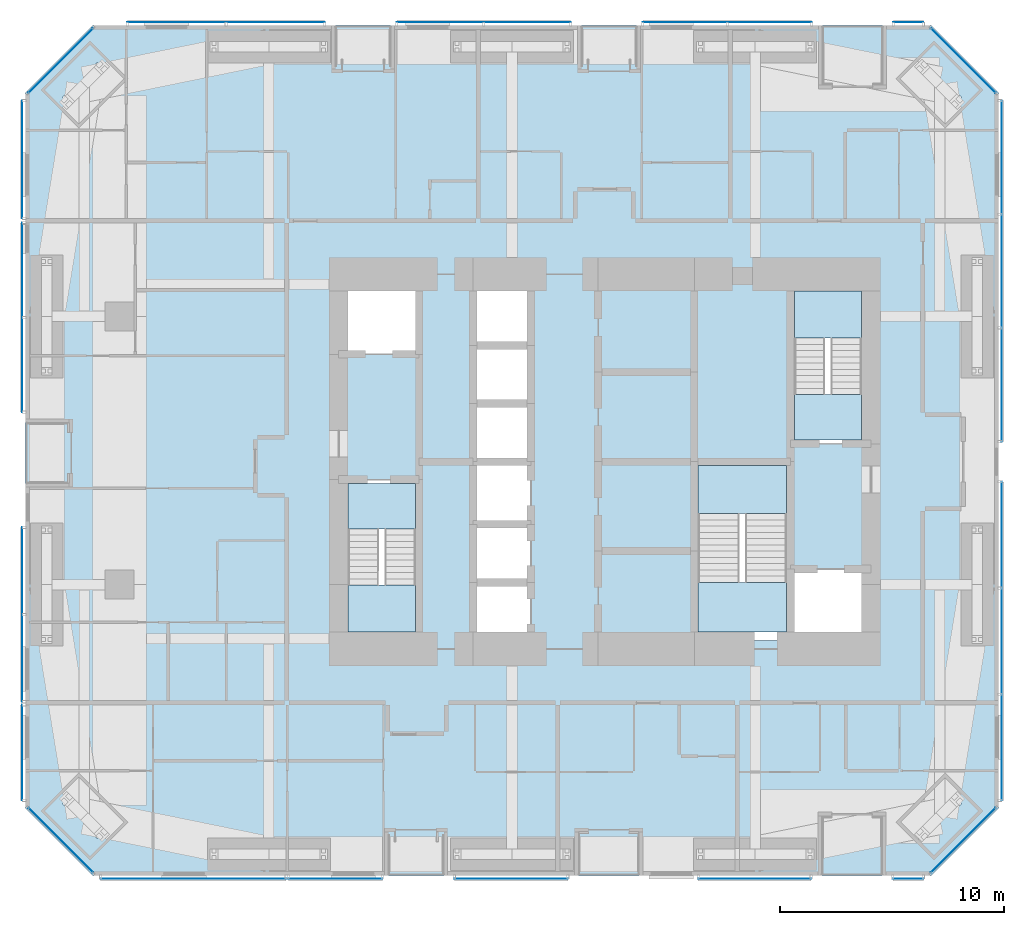
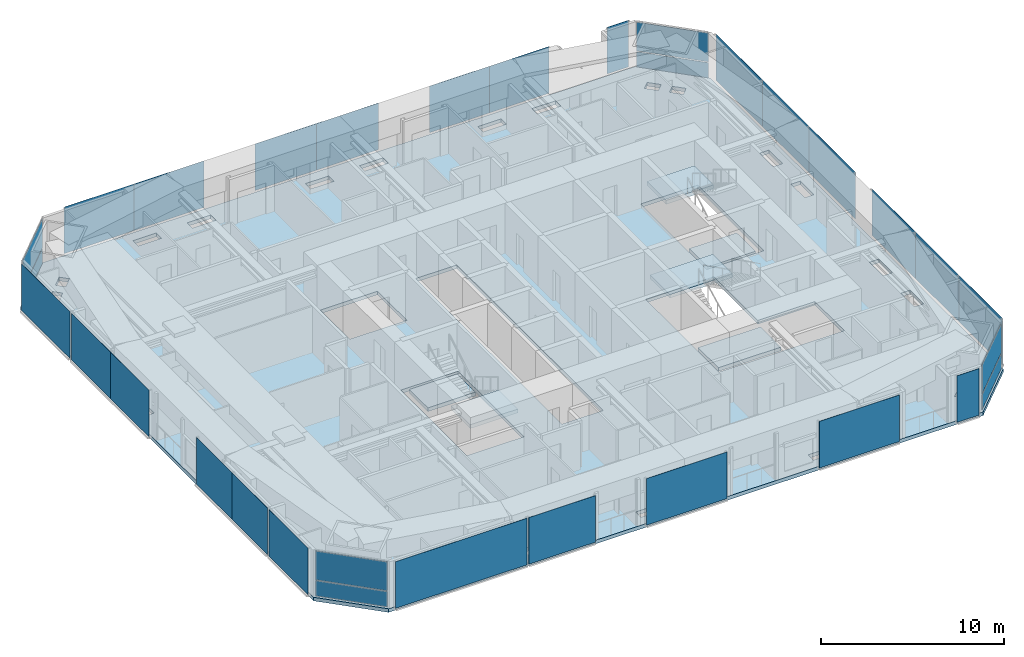
# One storey, part 15 of 23: 32 plates, 7 slabs, 22 elements without a shape of their own.
"""IFC4 building model written with IfcOpenShell, lengths in metres."""

from ifc_helpers import new_model, si_unit, direction, frame, origin, origin_2d, place, context, subcontext, project, spatial, polyline, rectangle, outline, extrude, material, layer, layer_set, type_object, element, aggregate, save


model = new_model("IFC4")

# Units and contexts
model_context = context("Model", 3, precision=1e-05, world=origin(), true_north=direction((0.0, 1.0)))
body_context = subcontext(model_context, "Body", "Model", "MODEL_VIEW")
ifc_project = project(units=[si_unit("LENGTHUNIT", "METRE"), si_unit("AREAUNIT", "SQUARE_METRE"), si_unit("VOLUMEUNIT", "CUBIC_METRE"), si_unit("PLANEANGLEUNIT", "RADIAN"), si_unit("MASSUNIT", "GRAM", prefix="KILO")], contexts=[model_context])

# Site, building, storey
site_placement = place(None, origin())
site = spatial("IfcSite", under=ifc_project, at=site_placement, CompositionType="ELEMENT")
building_placement = place(site_placement, origin())
building = spatial("IfcBuilding", under=site, at=building_placement, Name="Jalousie Tower", CompositionType="ELEMENT")
storey_placement = place(building_placement, frame((0.0, 0.0, 88.10009765625)))
storey = spatial("IfcBuildingStorey", under=building, at=storey_placement, Name="L23", CompositionType="ELEMENT", Elevation=88.10009765625)

# Curtain wall, plates
ifc_material_1 = material(Name="Aluminium curtain wall", Category="aluminium")
curtain_wall_type_1 = type_object("IfcCurtainWallType", Name="CORNER WINDOW WALL", PredefinedType="USERDEFINED", material=ifc_material_1)
curtain_wall_1_placement = place(storey_placement, origin())
curtain_wall_1 = element("IfcCurtainWall", 1, at=curtain_wall_1_placement, inside=storey, type_object=curtain_wall_type_1, Name="Corner Window Wall L23 2", ObjectType="CORNER WINDOW WALL", PredefinedType="USERDEFINED")
ifc_material_2 = material(Name="Laminated impact-rated spandrel glass", Category="glass")
ifc_layer_1 = layer(ifc_material_2, 0.028076171875)
ifc_layer_set_1 = layer_set([ifc_layer_1], Name="Laminated impact-rated spandrel glass")
plate_type_1 = type_object("IfcPlateType", Name="CORNER WINDOW WALL PANEL", PredefinedType="CURTAIN_PANEL", material=ifc_layer_set_1)
plate_1_placement = place(storey_placement, frame((47.9306640625, 1.5693359375, 0.06005859375), z_axis=(0.0, 0.0, 1.0), x_axis=(0.707106781187, 0.707106781187, 0.0)))
plate_1 = element("IfcPlate", 2, at=plate_1_placement, type_object=plate_type_1, Name="CW-C panel 1.1", PredefinedType="CURTAIN_PANEL", context=body_context, shape_type="SweptSolid", body=[
    extrude(rectangle(XDim=4.071533203125, YDim=0.028076171875, at=origin_2d()), origin(), (0.0, 0.0, 1.0), 1.010009765625),
])
plate_2_placement = place(storey_placement, frame((47.9306640625, 1.5693359375, 1.1298828125), z_axis=(0.0, 0.0, 1.0), x_axis=(0.707106781187, 0.707106781187, 0.0)))
plate_2 = element("IfcPlate", 3, at=plate_2_placement, type_object=plate_type_1, Name="CW-C panel 1.2", PredefinedType="CURTAIN_PANEL", context=body_context, shape_type="SweptSolid", body=[
    extrude(rectangle(XDim=4.071533203125, YDim=0.028076171875, at=origin_2d()), origin(), (0.0, 0.0, 1.0), 1.919921875),
])
aggregate(curtain_wall_1, [plate_1, plate_2])

curtain_wall_2_placement = place(storey_placement, origin())
curtain_wall_2 = element("IfcCurtainWall", 4, at=curtain_wall_2_placement, inside=storey, type_object=curtain_wall_type_1, Name="Corner Window Wall L23 4", ObjectType="CORNER WINDOW WALL", PredefinedType="USERDEFINED")
plate_3_placement = place(storey_placement, frame((47.9306640625, 36.4306640625, 0.06005859375), z_axis=(0.0, 0.0, 1.0), x_axis=(-0.707106781187, 0.707106781187, 0.0)))
plate_3 = element("IfcPlate", 5, at=plate_3_placement, type_object=plate_type_1, Name="CW-C panel 1.1", PredefinedType="CURTAIN_PANEL", context=body_context, shape_type="SweptSolid", body=[
    extrude(rectangle(XDim=4.071533203125, YDim=0.028076171875, at=origin_2d()), origin(), (0.0, 0.0, 1.0), 1.010009765625),
])
plate_4_placement = place(storey_placement, frame((47.9306640625, 36.4306640625, 1.1298828125), z_axis=(0.0, 0.0, 1.0), x_axis=(-0.707106781187, 0.707106781187, 0.0)))
plate_4 = element("IfcPlate", 6, at=plate_4_placement, type_object=plate_type_1, Name="CW-C panel 1.2", PredefinedType="CURTAIN_PANEL", context=body_context, shape_type="SweptSolid", body=[
    extrude(rectangle(XDim=4.071533203125, YDim=0.028076171875, at=origin_2d()), origin(), (0.0, 0.0, 1.0), 1.919921875),
])
aggregate(curtain_wall_2, [plate_3, plate_4])

curtain_wall_3_placement = place(storey_placement, origin())
curtain_wall_3 = element("IfcCurtainWall", 7, at=curtain_wall_3_placement, inside=storey, type_object=curtain_wall_type_1, Name="Corner Window Wall L23 6", ObjectType="CORNER WINDOW WALL", PredefinedType="USERDEFINED")
plate_5_placement = place(storey_placement, frame((7.5693359375, 36.4306640625, 0.06005859375), z_axis=(0.0, 0.0, 1.0), x_axis=(-0.707106781187, -0.707106781187, 0.0)))
plate_5 = element("IfcPlate", 8, at=plate_5_placement, type_object=plate_type_1, Name="CW-C panel 1.1", PredefinedType="CURTAIN_PANEL", context=body_context, shape_type="SweptSolid", body=[
    extrude(rectangle(XDim=4.071533203125, YDim=0.028076171875, at=origin_2d()), origin(), (0.0, 0.0, 1.0), 1.010009765625),
])
plate_6_placement = place(storey_placement, frame((7.5693359375, 36.4306640625, 1.1298828125), z_axis=(0.0, 0.0, 1.0), x_axis=(-0.707106781187, -0.707106781187, 0.0)))
plate_6 = element("IfcPlate", 9, at=plate_6_placement, type_object=plate_type_1, Name="CW-C panel 1.2", PredefinedType="CURTAIN_PANEL", context=body_context, shape_type="SweptSolid", body=[
    extrude(rectangle(XDim=4.071533203125, YDim=0.028076171875, at=origin_2d()), origin(), (0.0, 0.0, 1.0), 1.919921875),
])
aggregate(curtain_wall_3, [plate_5, plate_6])

curtain_wall_4_placement = place(storey_placement, origin())
curtain_wall_4 = element("IfcCurtainWall", 10, at=curtain_wall_4_placement, inside=storey, type_object=curtain_wall_type_1, Name="Corner Window Wall L23 8", ObjectType="CORNER WINDOW WALL", PredefinedType="USERDEFINED")
plate_7_placement = place(storey_placement, frame((7.5693359375, 1.5693359375, 0.06005859375), z_axis=(0.0, 0.0, 1.0), x_axis=(0.707106781187, -0.707106781187, 0.0)))
plate_7 = element("IfcPlate", 11, at=plate_7_placement, type_object=plate_type_1, Name="CW-C panel 1.1", PredefinedType="CURTAIN_PANEL", context=body_context, shape_type="SweptSolid", body=[
    extrude(rectangle(XDim=4.071533203125, YDim=0.028076171875, at=origin_2d()), origin(), (0.0, 0.0, 1.0), 1.010009765625),
])
plate_8_placement = place(storey_placement, frame((7.5693359375, 1.5693359375, 1.1298828125), z_axis=(0.0, 0.0, 1.0), x_axis=(0.707106781187, -0.707106781187, 0.0)))
plate_8 = element("IfcPlate", 12, at=plate_8_placement, type_object=plate_type_1, Name="CW-C panel 1.2", PredefinedType="CURTAIN_PANEL", context=body_context, shape_type="SweptSolid", body=[
    extrude(rectangle(XDim=4.071533203125, YDim=0.028076171875, at=origin_2d()), origin(), (0.0, 0.0, 1.0), 1.919921875),
])
aggregate(curtain_wall_4, [plate_7, plate_8])

# Slab
ifc_material_3 = material(Name="Concrete f'c 40 MPa", Category="concrete")
ifc_layer_2 = layer(ifc_material_3, 0.239990234375)
ifc_layer_set_2 = layer_set([ifc_layer_2], Name="Concrete f'c 40 MPa")
slab_type_1 = type_object("IfcSlabType", Name="FLOOR SLAB 240", PredefinedType="FLOOR", material=ifc_layer_set_2)
slab_1_placement = place(storey_placement, frame((0.0, 0.0, -0.239990234375)))
element("IfcSlab", 13, at=slab_1_placement, inside=storey, type_object=slab_type_1, Name="L23 floor slab", PredefinedType="FLOOR", context=body_context, shape_type="SweptSolid", body=[
    extrude(outline(polyline([(9.0, 0.0), (46.5, 0.0), (49.5, 3.0), (49.5, 35.0), (46.5, 38.0), (9.0, 38.0), (6.0, 35.0), (6.0, 3.0), (9.0, 0.0)]), holes=[polyline([(26.78173828125, 1.23876953125), (26.78173828125, 0.6611328125), (25.300048828125, 0.6611328125), (25.300048828125, 0.663818359375), (25.300048828125, 1.236083984375), (25.300048828125, 1.23876953125), (26.78173828125, 1.23876953125)]), polyline([(14.425048828125, 1.236083984375), (14.425048828125, 1.23876953125), (15.90673828125, 1.23876953125), (15.90673828125, 0.6611328125), (14.425048828125, 0.6611328125), (14.425048828125, 0.663818359375), (14.425048828125, 1.236083984375)]), polyline([(19.324951171875, 1.23876953125), (19.324951171875, 1.236083984375), (19.324951171875, 0.663818359375), (19.324951171875, 0.6611328125), (17.84326171875, 0.6611328125), (17.84326171875, 1.23876953125), (19.324951171875, 1.23876953125)]), polyline([(9.61328125, 2.0576171875), (9.4091796875, 1.853515625), (9.206787109375, 1.651123046875), (9.206787109375, 1.651123046875), (9.205078125, 1.6494140625), (8.649658203125, 2.204833984375), (9.05810546875, 2.613037109375), (9.61328125, 2.0576171875)]), polyline([(8.0576171875, 3.61328125), (8.613037109375, 3.05810546875), (8.204833984375, 2.649658203125), (7.6494140625, 3.205078125), (7.72119140625, 3.276611328125), (8.055908203125, 3.611572265625), (8.055908203125, 3.611572265625), (8.0576171875, 3.61328125)]), polyline([(7.236083984375, 10.550048828125), (6.663818359375, 10.550048828125), (6.6611328125, 10.550048828125), (6.6611328125, 12.03173828125), (7.23876953125, 12.03173828125), (7.23876953125, 10.550048828125), (7.236083984375, 10.550048828125)]), polyline([(20.0, 10.5), (23.60009765625, 10.5), (23.60009765625, 17.699951171875), (20.0, 17.699951171875), (20.0, 10.5)]), polyline([(7.23876953125, 15.449951171875), (7.23876953125, 13.96826171875), (6.6611328125, 13.96826171875), (6.6611328125, 15.449951171875), (6.663818359375, 15.449951171875), (7.236083984375, 15.449951171875), (7.23876953125, 15.449951171875)]), polyline([(26.0, 10.5), (26.0, 26.5), (28.60009765625, 26.5), (28.60009765625, 10.5), (26.0, 10.5)]), polyline([(7.23876953125, 24.03173828125), (7.23876953125, 22.550048828125), (7.236083984375, 22.550048828125), (6.663818359375, 22.550048828125), (6.6611328125, 22.550048828125), (6.6611328125, 24.03173828125), (7.23876953125, 24.03173828125)]), polyline([(20.0, 23.300048828125), (23.60009765625, 23.300048828125), (23.60009765625, 26.5), (20.0, 26.5), (20.0, 23.300048828125)]), polyline([(7.23876953125, 25.96826171875), (6.6611328125, 25.96826171875), (6.6611328125, 27.449951171875), (6.663818359375, 27.449951171875), (7.236083984375, 27.449951171875), (7.23876953125, 27.449951171875), (7.23876953125, 25.96826171875)]), polyline([(7.6494140625, 34.794921875), (8.204833984375, 35.350341796875), (8.613037109375, 34.94189453125), (8.0576171875, 34.38671875), (8.055908203125, 34.388427734375), (8.055908203125, 34.388427734375), (7.853515625, 34.5908203125), (7.6494140625, 34.794921875)]), polyline([(9.61328125, 35.9423828125), (9.05810546875, 35.386962890625), (8.649658203125, 35.795166015625), (9.205078125, 36.3505859375), (9.206787109375, 36.348876953125), (9.206787109375, 36.348876953125), (9.4091796875, 36.146484375), (9.61328125, 35.9423828125)]), polyline([(17.84326171875, 36.76123046875), (17.84326171875, 37.338623046875), (19.324951171875, 37.338623046875), (19.324951171875, 37.336181640625), (19.324951171875, 36.763916015625), (19.324951171875, 36.76123046875), (17.84326171875, 36.76123046875)]), polyline([(26.78173828125, 37.338623046875), (26.78173828125, 36.76123046875), (25.300048828125, 36.76123046875), (25.300048828125, 36.763916015625), (25.300048828125, 37.336181640625), (25.300048828125, 37.338623046875), (26.78173828125, 37.338623046875)]), polyline([(14.425048828125, 36.763916015625), (14.425048828125, 37.336181640625), (14.425048828125, 37.338623046875), (15.90673828125, 37.338623046875), (15.90673828125, 36.76123046875), (14.425048828125, 36.76123046875), (14.425048828125, 36.763916015625)]), polyline([(28.71826171875, 1.23876953125), (30.199951171875, 1.23876953125), (30.199951171875, 1.236083984375), (30.199951171875, 0.663818359375), (30.199951171875, 0.6611328125), (28.71826171875, 0.6611328125), (28.71826171875, 1.23876953125)]), polyline([(36.175048828125, 1.23876953125), (37.65673828125, 1.23876953125), (37.65673828125, 0.6611328125), (36.175048828125, 0.6611328125), (36.175048828125, 0.663818359375), (36.175048828125, 1.236083984375), (36.175048828125, 1.23876953125)]), polyline([(41.074951171875, 1.23876953125), (41.074951171875, 1.236083984375), (41.074951171875, 0.663818359375), (41.074951171875, 0.6611328125), (39.59326171875, 0.6611328125), (39.59326171875, 1.23876953125), (41.074951171875, 1.23876953125)]), polyline([(46.294921875, 1.6494140625), (46.0908203125, 1.853515625), (45.888427734375, 2.055908203125), (45.888427734375, 2.055908203125), (45.88671875, 2.0576171875), (46.44189453125, 2.613037109375), (46.850341796875, 2.204833984375), (46.294921875, 1.6494140625)]), polyline([(47.4423828125, 3.61328125), (47.646484375, 3.4091796875), (47.848876953125, 3.206787109375), (47.848876953125, 3.206787109375), (47.8505859375, 3.205078125), (47.295166015625, 2.649658203125), (46.886962890625, 3.05810546875), (47.4423828125, 3.61328125)]), polyline([(48.836181640625, 10.550048828125), (48.263916015625, 10.550048828125), (48.26123046875, 10.550048828125), (48.26123046875, 12.03173828125), (48.838623046875, 12.03173828125), (48.838623046875, 10.550048828125), (48.836181640625, 10.550048828125)]), polyline([(43.800048828125, 10.5), (35.89990234375, 10.5), (35.89990234375, 18.5), (40.199951171875, 18.5), (40.199951171875, 13.699951171875), (43.800048828125, 13.699951171875), (43.800048828125, 10.5)]), polyline([(48.838623046875, 13.96826171875), (48.26123046875, 13.96826171875), (48.26123046875, 15.449951171875), (48.263916015625, 15.449951171875), (48.836181640625, 15.449951171875), (48.838623046875, 15.449951171875), (48.838623046875, 13.96826171875)]), polyline([(40.199951171875, 19.300048828125), (43.800048828125, 19.300048828125), (43.800048828125, 26.5), (40.199951171875, 26.5), (40.199951171875, 19.300048828125)]), polyline([(48.836181640625, 22.550048828125), (48.263916015625, 22.550048828125), (48.26123046875, 22.550048828125), (48.26123046875, 24.03173828125), (48.838623046875, 24.03173828125), (48.838623046875, 22.550048828125), (48.836181640625, 22.550048828125)]), polyline([(48.838623046875, 27.449951171875), (48.838623046875, 25.96826171875), (48.26123046875, 25.96826171875), (48.26123046875, 27.449951171875), (48.263916015625, 27.449951171875), (48.836181640625, 27.449951171875), (48.838623046875, 27.449951171875)]), polyline([(47.295166015625, 35.350341796875), (47.8505859375, 34.794921875), (47.646484375, 34.5908203125), (47.444091796875, 34.388427734375), (47.4423828125, 34.38671875), (46.886962890625, 34.94189453125), (47.295166015625, 35.350341796875)]), polyline([(46.850341796875, 35.795166015625), (46.44189453125, 35.386962890625), (45.88671875, 35.9423828125), (45.888427734375, 35.944091796875), (46.0908203125, 36.146484375), (46.294921875, 36.3505859375), (46.850341796875, 35.795166015625)]), polyline([(41.074951171875, 37.338623046875), (41.074951171875, 37.336181640625), (41.074951171875, 36.763916015625), (41.074951171875, 36.76123046875), (39.59326171875, 36.76123046875), (39.59326171875, 37.338623046875), (41.074951171875, 37.338623046875)]), polyline([(37.65673828125, 37.338623046875), (37.65673828125, 36.76123046875), (36.175048828125, 36.76123046875), (36.175048828125, 36.763916015625), (36.175048828125, 37.336181640625), (36.175048828125, 37.338623046875), (37.65673828125, 37.338623046875)]), polyline([(28.71826171875, 36.76123046875), (28.71826171875, 37.338623046875), (30.199951171875, 37.338623046875), (30.199951171875, 37.336181640625), (30.199951171875, 36.763916015625), (30.199951171875, 36.76123046875), (28.71826171875, 36.76123046875)])]), origin(), (0.0, 0.0, 1.0), 0.239990234375),
])

# Curtain wall, plate
ifc_material_4 = material(Name="Perforated aluminium sheet", Category="aluminium")
curtain_wall_type_2 = type_object("IfcCurtainWallType", Name="SOLAR SCREEN SS-1", PredefinedType="USERDEFINED", material=ifc_material_4)
curtain_wall_5_placement = place(storey_placement, origin())
curtain_wall_5 = element("IfcCurtainWall", 14, at=curtain_wall_5_placement, inside=storey, type_object=curtain_wall_type_2, Name="Solar screen L23", ObjectType="SOLAR SCREEN SS-1", PredefinedType="USERDEFINED")
ifc_material_5 = material(Name="Perforated aluminium sheet", Category="aluminium")
ifc_layer_3 = layer(ifc_material_5, 0.006103515625)
ifc_layer_set_3 = layer_set([ifc_layer_3], Name="Perforated aluminium sheet")
plate_type_2 = type_object("IfcPlateType", Name="SOLAR SCREEN SS-1 PANEL", PredefinedType="CURTAIN_PANEL", material=ifc_layer_set_3)
plate_9_placement = place(storey_placement, frame((13.500732421875, -0.150390625, 0.0), z_axis=(0.0, 0.0, 1.0), x_axis=(1.0, 0.0, 0.0)))
plate_9 = element("IfcPlate", 15, at=plate_9_placement, type_object=plate_type_2, Name="SS1 perforated panel 1", PredefinedType="CURTAIN_PANEL", context=body_context, shape_type="SweptSolid", body=[
    extrude(rectangle(XDim=8.298583984375, YDim=0.006103515625, at=origin_2d()), origin(), (0.0, 0.0, 1.0), 3.110107421875),
])
aggregate(curtain_wall_5, [plate_9])

curtain_wall_6_placement = place(storey_placement, origin())
curtain_wall_6 = element("IfcCurtainWall", 16, at=curtain_wall_6_placement, inside=storey, type_object=curtain_wall_type_2, Name="Solar screen L23", ObjectType="SOLAR SCREEN SS-1", PredefinedType="USERDEFINED")
plate_10_placement = place(storey_placement, frame((19.85009765625, -0.150390625, 0.0), z_axis=(0.0, 0.0, 1.0), x_axis=(1.0, 0.0, 0.0)))
plate_10 = element("IfcPlate", 17, at=plate_10_placement, type_object=plate_type_2, Name="SS1 perforated panel 1", PredefinedType="CURTAIN_PANEL", context=body_context, shape_type="SweptSolid", body=[
    extrude(rectangle(XDim=4.199951171875, YDim=0.006103515625, at=origin_2d()), origin(), (0.0, 0.0, 1.0), 3.110107421875),
])
aggregate(curtain_wall_6, [plate_10])

curtain_wall_7_placement = place(storey_placement, origin())
curtain_wall_7 = element("IfcCurtainWall", 18, at=curtain_wall_7_placement, inside=storey, type_object=curtain_wall_type_2, Name="Solar screen L23", ObjectType="SOLAR SCREEN SS-1", PredefinedType="USERDEFINED")
plate_11_placement = place(storey_placement, frame((27.71240234375, -0.150390625, 0.0), z_axis=(0.0, 0.0, 1.0), x_axis=(1.0, 0.0, 0.0)))
plate_11 = element("IfcPlate", 19, at=plate_11_placement, type_object=plate_type_2, Name="SS1 perforated panel 1", PredefinedType="CURTAIN_PANEL", context=body_context, shape_type="SweptSolid", body=[
    extrude(rectangle(XDim=5.074951171875, YDim=0.006103515625, at=origin_2d()), origin(), (0.0, 0.0, 1.0), 3.110107421875),
])
aggregate(curtain_wall_7, [plate_11])

curtain_wall_8_placement = place(storey_placement, origin())
curtain_wall_8 = element("IfcCurtainWall", 20, at=curtain_wall_8_placement, inside=storey, type_object=curtain_wall_type_2, Name="Solar screen L23", ObjectType="SOLAR SCREEN SS-1", PredefinedType="USERDEFINED")
plate_12_placement = place(storey_placement, frame((38.60009765625, -0.150390625, 0.0), z_axis=(0.0, 0.0, 1.0), x_axis=(1.0, 0.0, 0.0)))
plate_12 = element("IfcPlate", 21, at=plate_12_placement, type_object=plate_type_2, Name="SS1 perforated panel 1", PredefinedType="CURTAIN_PANEL", context=body_context, shape_type="SweptSolid", body=[
    extrude(rectangle(XDim=5.050048828125, YDim=0.006103515625, at=origin_2d()), origin(), (0.0, 0.0, 1.0), 3.110107421875),
])
aggregate(curtain_wall_8, [plate_12])

curtain_wall_9_placement = place(storey_placement, origin())
curtain_wall_9 = element("IfcCurtainWall", 22, at=curtain_wall_9_placement, inside=storey, type_object=curtain_wall_type_2, Name="Solar screen L23", ObjectType="SOLAR SCREEN SS-1", PredefinedType="USERDEFINED")
plate_13_placement = place(storey_placement, frame((45.4619140625, -0.150390625, 0.0), z_axis=(0.0, 0.0, 1.0), x_axis=(1.0, 0.0, 0.0)))
plate_13 = element("IfcPlate", 23, at=plate_13_placement, type_object=plate_type_2, Name="SS1 perforated panel 1", PredefinedType="CURTAIN_PANEL", context=body_context, shape_type="SweptSolid", body=[
    extrude(rectangle(XDim=1.373779296875, YDim=0.006103515625, at=origin_2d()), origin(), (0.0, 0.0, 1.0), 3.110107421875),
])
aggregate(curtain_wall_9, [plate_13])

# Curtain wall, plates
curtain_wall_10_placement = place(storey_placement, origin())
curtain_wall_10 = element("IfcCurtainWall", 24, at=curtain_wall_10_placement, inside=storey, type_object=curtain_wall_type_2, Name="Solar screen L23", ObjectType="SOLAR SCREEN SS-1", PredefinedType="USERDEFINED")
plate_14_placement = place(storey_placement, frame((49.650390625, 5.72607421875, 0.0), z_axis=(0.0, 0.0, 1.0), x_axis=(0.0, 1.0, 0.0)))
plate_14 = element("IfcPlate", 25, at=plate_14_placement, type_object=plate_type_2, Name="SS1 perforated panel 1", PredefinedType="CURTAIN_PANEL", context=body_context, shape_type="SweptSolid", body=[
    extrude(rectangle(XDim=4.74951171875, YDim=0.006103515625, at=origin_2d()), origin(), (0.0, 0.0, 1.0), 3.110107421875),
])
plate_15_placement = place(storey_placement, frame((49.650390625, 10.4755859375, 0.0), z_axis=(0.0, 0.0, 1.0), x_axis=(0.0, 1.0, 0.0)))
plate_15 = element("IfcPlate", 26, at=plate_15_placement, type_object=plate_type_2, Name="SS1 perforated panel 2", PredefinedType="CURTAIN_PANEL", context=body_context, shape_type="SweptSolid", body=[
    extrude(rectangle(XDim=4.74951171875, YDim=0.006103515625, at=origin_2d()), origin(), (0.0, 0.0, 1.0), 3.110107421875),
])
plate_16_placement = place(storey_placement, frame((49.650390625, 15.22509765625, 0.0), z_axis=(0.0, 0.0, 1.0), x_axis=(0.0, 1.0, 0.0)))
plate_16 = element("IfcPlate", 27, at=plate_16_placement, type_object=plate_type_2, Name="SS1 perforated panel 3", PredefinedType="CURTAIN_PANEL", context=body_context, shape_type="SweptSolid", body=[
    extrude(rectangle(XDim=4.74951171875, YDim=0.006103515625, at=origin_2d()), origin(), (0.0, 0.0, 1.0), 3.110107421875),
])
aggregate(curtain_wall_10, [plate_14, plate_15, plate_16])

curtain_wall_11_placement = place(storey_placement, origin())
curtain_wall_11 = element("IfcCurtainWall", 28, at=curtain_wall_11_placement, inside=storey, type_object=curtain_wall_type_2, Name="Solar screen L23", ObjectType="SOLAR SCREEN SS-1", PredefinedType="USERDEFINED")
plate_17_placement = place(storey_placement, frame((49.650390625, 21.94140625, 0.0), z_axis=(0.0, 0.0, 1.0), x_axis=(0.0, 1.0, 0.0)))
plate_17 = element("IfcPlate", 29, at=plate_17_placement, type_object=plate_type_2, Name="SS1 perforated panel 1", PredefinedType="CURTAIN_PANEL", context=body_context, shape_type="SweptSolid", body=[
    extrude(rectangle(XDim=5.0830078125, YDim=0.006103515625, at=origin_2d()), origin(), (0.0, 0.0, 1.0), 3.110107421875),
])
plate_18_placement = place(storey_placement, frame((49.650390625, 27.0244140625, 0.0), z_axis=(0.0, 0.0, 1.0), x_axis=(0.0, 1.0, 0.0)))
plate_18 = element("IfcPlate", 30, at=plate_18_placement, type_object=plate_type_2, Name="SS1 perforated panel 2", PredefinedType="CURTAIN_PANEL", context=body_context, shape_type="SweptSolid", body=[
    extrude(rectangle(XDim=5.0830078125, YDim=0.006103515625, at=origin_2d()), origin(), (0.0, 0.0, 1.0), 3.110107421875),
])
plate_19_placement = place(storey_placement, frame((49.650390625, 32.107177734375, 0.0), z_axis=(0.0, 0.0, 1.0), x_axis=(0.0, 1.0, 0.0)))
plate_19 = element("IfcPlate", 31, at=plate_19_placement, type_object=plate_type_2, Name="SS1 perforated panel 3", PredefinedType="CURTAIN_PANEL", context=body_context, shape_type="SweptSolid", body=[
    extrude(rectangle(XDim=5.0830078125, YDim=0.006103515625, at=origin_2d()), origin(), (0.0, 0.0, 1.0), 3.110107421875),
])
aggregate(curtain_wall_11, [plate_17, plate_18, plate_19])

# Curtain wall, plate
curtain_wall_12_placement = place(storey_placement, origin())
curtain_wall_12 = element("IfcCurtainWall", 32, at=curtain_wall_12_placement, inside=storey, type_object=curtain_wall_type_2, Name="Solar screen L23", ObjectType="SOLAR SCREEN SS-1", PredefinedType="USERDEFINED")
plate_20_placement = place(storey_placement, frame((45.4736328125, 38.150390625, 0.0), z_axis=(0.0, 0.0, 1.0), x_axis=(-1.0, 0.0, 0.0)))
plate_20 = element("IfcPlate", 33, at=plate_20_placement, type_object=plate_type_2, Name="SS1 perforated panel 1", PredefinedType="CURTAIN_PANEL", context=body_context, shape_type="SweptSolid", body=[
    extrude(rectangle(XDim=1.35009765625, YDim=0.006103515625, at=origin_2d()), origin(), (0.0, 0.0, 1.0), 3.110107421875),
])
aggregate(curtain_wall_12, [plate_20])

# Curtain wall, plates
curtain_wall_13_placement = place(storey_placement, origin())
curtain_wall_13 = element("IfcCurtainWall", 34, at=curtain_wall_13_placement, inside=storey, type_object=curtain_wall_type_2, Name="Solar screen L23", ObjectType="SOLAR SCREEN SS-1", PredefinedType="USERDEFINED")
plate_21_placement = place(storey_placement, frame((39.261474609375, 38.150390625, 0.0), z_axis=(0.0, 0.0, 1.0), x_axis=(-1.0, 0.0, 0.0)))
plate_21 = element("IfcPlate", 35, at=plate_21_placement, type_object=plate_type_2, Name="SS1 perforated panel 1", PredefinedType="CURTAIN_PANEL", context=body_context, shape_type="SweptSolid", body=[
    extrude(rectangle(XDim=3.7744140625, YDim=0.006103515625, at=origin_2d()), origin(), (0.0, 0.0, 1.0), 3.110107421875),
])
plate_22_placement = place(storey_placement, frame((35.4873046875, 38.150390625, 0.0), z_axis=(0.0, 0.0, 1.0), x_axis=(-1.0, 0.0, 0.0)))
plate_22 = element("IfcPlate", 36, at=plate_22_placement, type_object=plate_type_2, Name="SS1 perforated panel 2", PredefinedType="CURTAIN_PANEL", context=body_context, shape_type="SweptSolid", body=[
    extrude(rectangle(XDim=3.7744140625, YDim=0.006103515625, at=origin_2d()), origin(), (0.0, 0.0, 1.0), 3.110107421875),
])
aggregate(curtain_wall_13, [plate_21, plate_22])

curtain_wall_14_placement = place(storey_placement, origin())
curtain_wall_14 = element("IfcCurtainWall", 37, at=curtain_wall_14_placement, inside=storey, type_object=curtain_wall_type_2, Name="Solar screen L23", ObjectType="SOLAR SCREEN SS-1", PredefinedType="USERDEFINED")
plate_23_placement = place(storey_placement, frame((28.43115234375, 38.150390625, 0.0), z_axis=(0.0, 0.0, 1.0), x_axis=(-1.0, 0.0, 0.0)))
plate_23 = element("IfcPlate", 38, at=plate_23_placement, type_object=plate_type_2, Name="SS1 perforated panel 1", PredefinedType="CURTAIN_PANEL", context=body_context, shape_type="SweptSolid", body=[
    extrude(rectangle(XDim=3.887451171875, YDim=0.006103515625, at=origin_2d()), origin(), (0.0, 0.0, 1.0), 3.110107421875),
])
plate_24_placement = place(storey_placement, frame((24.543701171875, 38.150390625, 0.0), z_axis=(0.0, 0.0, 1.0), x_axis=(-1.0, 0.0, 0.0)))
plate_24 = element("IfcPlate", 39, at=plate_24_placement, type_object=plate_type_2, Name="SS1 perforated panel 2", PredefinedType="CURTAIN_PANEL", context=body_context, shape_type="SweptSolid", body=[
    extrude(rectangle(XDim=3.887451171875, YDim=0.006103515625, at=origin_2d()), origin(), (0.0, 0.0, 1.0), 3.110107421875),
])
aggregate(curtain_wall_14, [plate_23, plate_24])

curtain_wall_15_placement = place(storey_placement, origin())
curtain_wall_15 = element("IfcCurtainWall", 40, at=curtain_wall_15_placement, inside=storey, type_object=curtain_wall_type_2, Name="Solar screen L23", ObjectType="SOLAR SCREEN SS-1", PredefinedType="USERDEFINED")
plate_25_placement = place(storey_placement, frame((17.168701171875, 38.150390625, 0.0), z_axis=(0.0, 0.0, 1.0), x_axis=(-1.0, 0.0, 0.0)))
plate_25 = element("IfcPlate", 41, at=plate_25_placement, type_object=plate_type_2, Name="SS1 perforated panel 1", PredefinedType="CURTAIN_PANEL", context=body_context, shape_type="SweptSolid", body=[
    extrude(rectangle(XDim=4.41259765625, YDim=0.006103515625, at=origin_2d()), origin(), (0.0, 0.0, 1.0), 3.110107421875),
])
plate_26_placement = place(storey_placement, frame((12.75634765625, 38.150390625, 0.0), z_axis=(0.0, 0.0, 1.0), x_axis=(-1.0, 0.0, 0.0)))
plate_26 = element("IfcPlate", 42, at=plate_26_placement, type_object=plate_type_2, Name="SS1 perforated panel 2", PredefinedType="CURTAIN_PANEL", context=body_context, shape_type="SweptSolid", body=[
    extrude(rectangle(XDim=4.41259765625, YDim=0.006103515625, at=origin_2d()), origin(), (0.0, 0.0, 1.0), 3.110107421875),
])
aggregate(curtain_wall_15, [plate_25, plate_26])

# Curtain wall, plate
curtain_wall_16_placement = place(storey_placement, origin())
curtain_wall_16 = element("IfcCurtainWall", 43, at=curtain_wall_16_placement, inside=storey, type_object=curtain_wall_type_2, Name="Solar screen L23", ObjectType="SOLAR SCREEN SS-1", PredefinedType="USERDEFINED")
plate_27_placement = place(storey_placement, frame((5.849609375, 32.01171875, 0.0), z_axis=(0.0, 0.0, 1.0), x_axis=(0.0, -1.0, 0.0)))
plate_27 = element("IfcPlate", 44, at=plate_27_placement, type_object=plate_type_2, Name="SS1 perforated panel 1", PredefinedType="CURTAIN_PANEL", context=body_context, shape_type="SweptSolid", body=[
    extrude(rectangle(XDim=5.273681640625, YDim=0.006103515625, at=origin_2d()), origin(), (0.0, 0.0, 1.0), 3.110107421875),
])
aggregate(curtain_wall_16, [plate_27])

# Curtain wall, plates
curtain_wall_17_placement = place(storey_placement, origin())
curtain_wall_17 = element("IfcCurtainWall", 45, at=curtain_wall_17_placement, inside=storey, type_object=curtain_wall_type_2, Name="Solar screen L23", ObjectType="SOLAR SCREEN SS-1", PredefinedType="USERDEFINED")
plate_28_placement = place(storey_placement, frame((5.849609375, 27.060302734375, 0.0), z_axis=(0.0, 0.0, 1.0), x_axis=(0.0, -1.0, 0.0)))
plate_28 = element("IfcPlate", 46, at=plate_28_placement, type_object=plate_type_2, Name="SS1 perforated panel 1", PredefinedType="CURTAIN_PANEL", context=body_context, shape_type="SweptSolid", body=[
    extrude(rectangle(XDim=4.229248046875, YDim=0.006103515625, at=origin_2d()), origin(), (0.0, 0.0, 1.0), 3.110107421875),
])
plate_29_placement = place(storey_placement, frame((5.849609375, 22.831298828125, 0.0), z_axis=(0.0, 0.0, 1.0), x_axis=(0.0, -1.0, 0.0)))
plate_29 = element("IfcPlate", 47, at=plate_29_placement, type_object=plate_type_2, Name="SS1 perforated panel 2", PredefinedType="CURTAIN_PANEL", context=body_context, shape_type="SweptSolid", body=[
    extrude(rectangle(XDim=4.229248046875, YDim=0.006103515625, at=origin_2d()), origin(), (0.0, 0.0, 1.0), 3.110107421875),
])
aggregate(curtain_wall_17, [plate_28, plate_29])

curtain_wall_18_placement = place(storey_placement, origin())
curtain_wall_18 = element("IfcCurtainWall", 48, at=curtain_wall_18_placement, inside=storey, type_object=curtain_wall_type_2, Name="Solar screen L23", ObjectType="SOLAR SCREEN SS-1", PredefinedType="USERDEFINED")
plate_30_placement = place(storey_placement, frame((5.849609375, 13.6123046875, 0.0), z_axis=(0.0, 0.0, 1.0), x_axis=(0.0, -1.0, 0.0)))
plate_30 = element("IfcPlate", 49, at=plate_30_placement, type_object=plate_type_2, Name="SS1 perforated panel 1", PredefinedType="CURTAIN_PANEL", context=body_context, shape_type="SweptSolid", body=[
    extrude(rectangle(XDim=3.8916015625, YDim=0.006103515625, at=origin_2d()), origin(), (0.0, 0.0, 1.0), 3.110107421875),
])
plate_31_placement = place(storey_placement, frame((5.849609375, 9.720703125, 0.0), z_axis=(0.0, 0.0, 1.0), x_axis=(0.0, -1.0, 0.0)))
plate_31 = element("IfcPlate", 50, at=plate_31_placement, type_object=plate_type_2, Name="SS1 perforated panel 2", PredefinedType="CURTAIN_PANEL", context=body_context, shape_type="SweptSolid", body=[
    extrude(rectangle(XDim=3.8916015625, YDim=0.006103515625, at=origin_2d()), origin(), (0.0, 0.0, 1.0), 3.110107421875),
])
aggregate(curtain_wall_18, [plate_30, plate_31])

# Curtain wall, plate
curtain_wall_19_placement = place(storey_placement, origin())
curtain_wall_19 = element("IfcCurtainWall", 51, at=curtain_wall_19_placement, inside=storey, type_object=curtain_wall_type_2, Name="Solar screen L23", ObjectType="SOLAR SCREEN SS-1", PredefinedType="USERDEFINED")
plate_32_placement = place(storey_placement, frame((5.849609375, 5.48828125, 0.0), z_axis=(0.0, 0.0, 1.0), x_axis=(0.0, -1.0, 0.0)))
plate_32 = element("IfcPlate", 52, at=plate_32_placement, type_object=plate_type_2, Name="SS1 perforated panel 1", PredefinedType="CURTAIN_PANEL", context=body_context, shape_type="SweptSolid", body=[
    extrude(rectangle(XDim=4.273681640625, YDim=0.006103515625, at=origin_2d()), origin(), (0.0, 0.0, 1.0), 3.110107421875),
])
aggregate(curtain_wall_19, [plate_32])

# Stair, slabs
ifc_material_6 = material(Name="Concrete f'c 40 MPa", Category="concrete")
stair_type = type_object("IfcStairType", Name="EXIT STAIR", PredefinedType="HALF_TURN_STAIR", material=ifc_material_6)
stair_1_placement = place(storey_placement, origin())
stair_1 = element("IfcStair", 53, at=stair_1_placement, inside=storey, type_object=stair_type, Name="Exit stair A L23", PredefinedType="HALF_TURN_STAIR")
ifc_material_7 = material(Name="Concrete f'c 40 MPa", Category="concrete")
ifc_layer_4 = layer(ifc_material_7, 0.25)
ifc_layer_set_4 = layer_set([ifc_layer_4], Name="Concrete f'c 40 MPa")
slab_type_2 = type_object("IfcSlabType", Name="STAIR LANDING 250", PredefinedType="LANDING", material=ifc_layer_set_4)
slab_2_placement = place(storey_placement, frame((0.0, 0.0, -0.25)))
slab_2 = element("IfcSlab", 54, at=slab_2_placement, type_object=slab_type_2, Name="ST-A landing 1", PredefinedType="LANDING", context=body_context, shape_type="SweptSolid", body=[
    extrude(outline(polyline([(20.425048828125, 15.49755859375), (23.425048828125, 15.49755859375), (23.425048828125, 17.52490234375), (20.425048828125, 17.52490234375), (20.425048828125, 15.49755859375)])), origin(), (0.0, 0.0, 1.0), 0.25),
])
slab_3_placement = place(storey_placement, frame((0.0, 0.0, 1.4248046875)))
slab_3 = element("IfcSlab", 55, at=slab_3_placement, type_object=slab_type_2, Name="ST-A landing 2", PredefinedType="LANDING", context=body_context, shape_type="SweptSolid", body=[
    extrude(outline(polyline([(20.425048828125, 10.875), (23.425048828125, 10.875), (23.425048828125, 12.9775390625), (20.425048828125, 12.9775390625), (20.425048828125, 10.875)])), origin(), (0.0, 0.0, 1.0), 0.25),
])
aggregate(stair_1, [slab_2, slab_3])

stair_2_placement = place(storey_placement, origin())
stair_2 = element("IfcStair", 56, at=stair_2_placement, inside=storey, type_object=stair_type, Name="Exit stair B L23", PredefinedType="HALF_TURN_STAIR")
slab_4_placement = place(storey_placement, frame((0.0, 0.0, -0.25)))
slab_4 = element("IfcSlab", 57, at=slab_4_placement, type_object=slab_type_2, Name="ST-B landing 1", PredefinedType="LANDING", context=body_context, shape_type="SweptSolid", body=[
    extrude(outline(polyline([(40.375, 19.47509765625), (43.375, 19.47509765625), (43.375, 21.50244140625), (40.375, 21.50244140625), (40.375, 19.47509765625)])), origin(), (0.0, 0.0, 1.0), 0.25),
])
slab_5_placement = place(storey_placement, frame((0.0, 0.0, 1.4248046875)))
slab_5 = element("IfcSlab", 58, at=slab_5_placement, type_object=slab_type_2, Name="ST-B landing 2", PredefinedType="LANDING", context=body_context, shape_type="SweptSolid", body=[
    extrude(outline(polyline([(40.375, 24.0224609375), (43.375, 24.0224609375), (43.375, 26.125), (40.375, 26.125), (40.375, 24.0224609375)])), origin(), (0.0, 0.0, 1.0), 0.25),
])
aggregate(stair_2, [slab_4, slab_5])

stair_3_placement = place(storey_placement, origin())
stair_3 = element("IfcStair", 59, at=stair_3_placement, inside=storey, type_object=stair_type, Name="Exit stair C L23", PredefinedType="HALF_TURN_STAIR")
slab_6_placement = place(storey_placement, frame((0.0, 0.0, -0.25)))
slab_6 = element("IfcSlab", 60, at=slab_6_placement, type_object=slab_type_2, Name="ST-C landing 1", PredefinedType="LANDING", context=body_context, shape_type="SweptSolid", body=[
    extrude(outline(polyline([(36.074951171875, 10.875), (40.02490234375, 10.875), (40.02490234375, 13.097412109375), (36.074951171875, 13.097412109375), (36.074951171875, 10.875)])), origin(), (0.0, 0.0, 1.0), 0.25),
])
slab_7_placement = place(storey_placement, frame((0.0, 0.0, 1.4248046875)))
slab_7 = element("IfcSlab", 61, at=slab_7_placement, type_object=slab_type_2, Name="ST-C landing 2", PredefinedType="LANDING", context=body_context, shape_type="SweptSolid", body=[
    extrude(outline(polyline([(36.074951171875, 16.177490234375), (40.02490234375, 16.177490234375), (40.02490234375, 18.324951171875), (36.074951171875, 18.324951171875), (36.074951171875, 16.177490234375)])), origin(), (0.0, 0.0, 1.0), 0.25),
])
aggregate(stair_3, [slab_6, slab_7])

save(model, "model.ifc")
